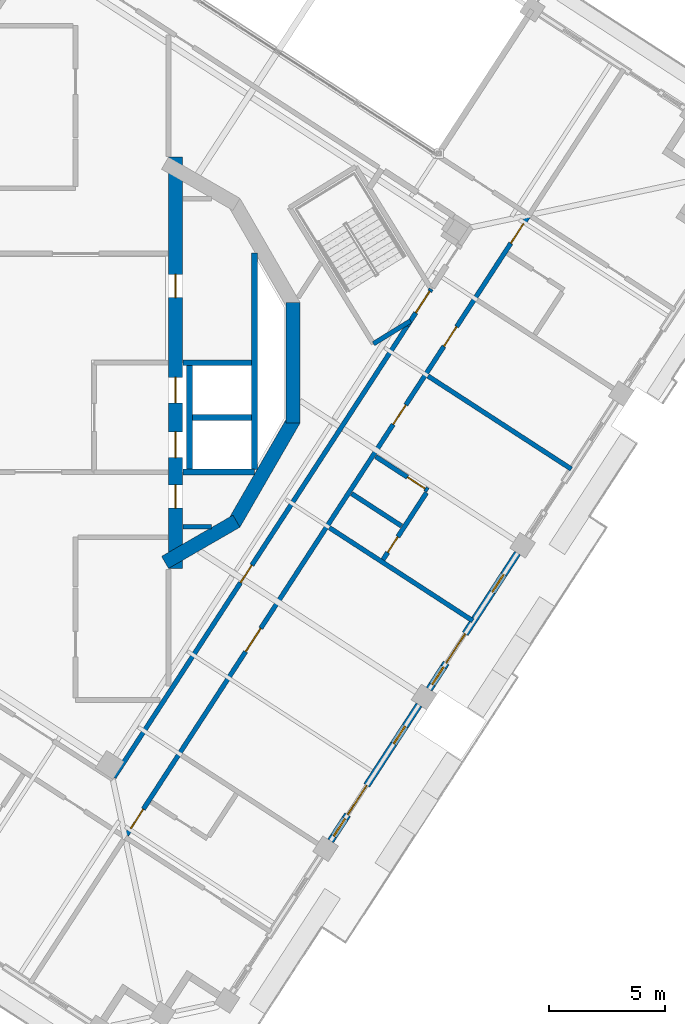
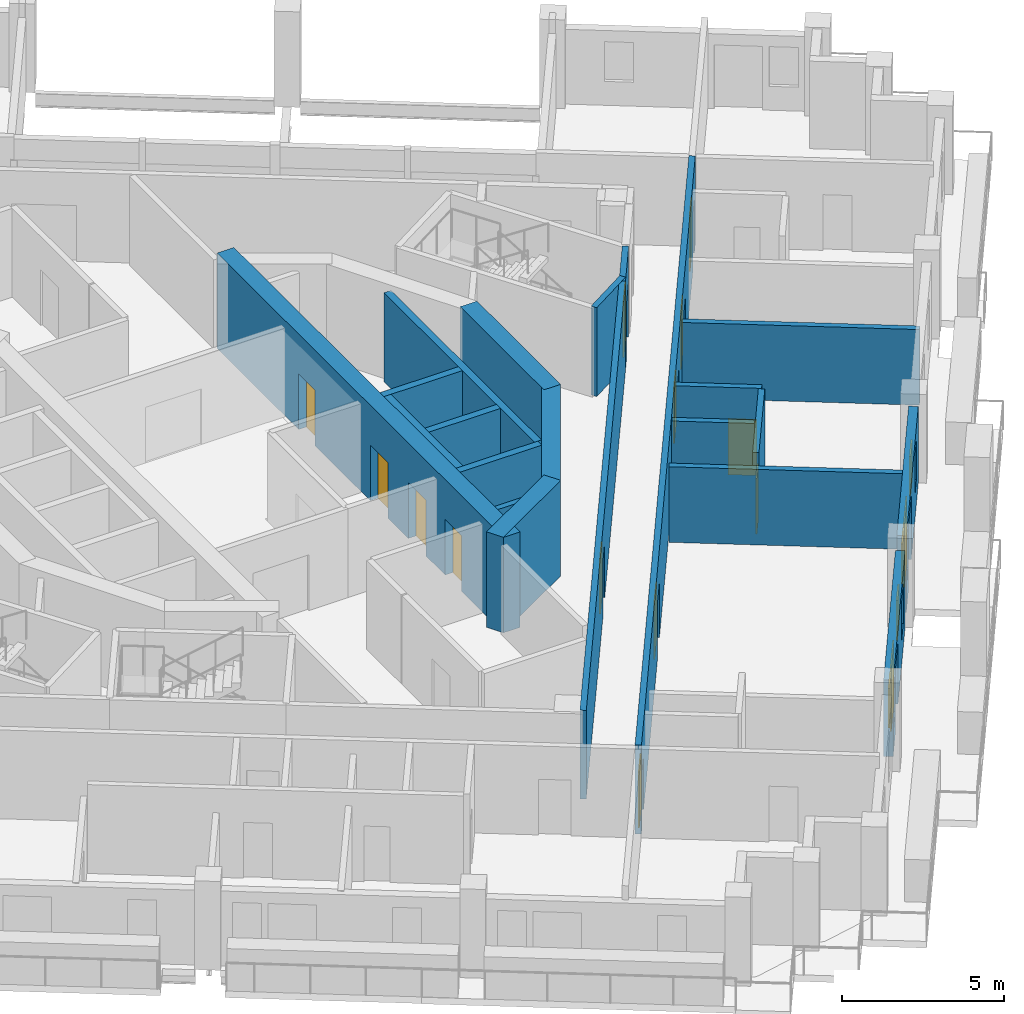
# One storey, part 8 of 17: 21 walls, 15 doors, 4 windows, 19 openings.
"""IFC4 building model written with IfcOpenShell, lengths in metres."""

from ifc_helpers import new_model, si_unit, direction, frame, frame_2d, origin, place, context, subcontext, project, spatial, rectangle, extrude, material, layer, layer_set, type_object, element, fill, save


model = new_model("IFC4")

# Units and contexts
model_context = context("Model", 3, precision=1e-05, world=origin(), true_north=direction((0.0, 1.0)))
body_context = subcontext(model_context, "Body", "Model", "MODEL_VIEW")
ifc_project = project(units=[si_unit("LENGTHUNIT", "METRE"), si_unit("AREAUNIT", "SQUARE_METRE"), si_unit("VOLUMEUNIT", "CUBIC_METRE"), si_unit("PLANEANGLEUNIT", "RADIAN"), si_unit("MASSUNIT", "GRAM", prefix="KILO")], contexts=[model_context])

# Site, building, storey
site_placement = place(None, origin())
site = spatial("IfcSite", under=ifc_project, at=site_placement, CompositionType="ELEMENT")
building_placement = place(site_placement, origin())
building = spatial("IfcBuilding", under=site, at=building_placement, Name="Cantera Rosa Tower", CompositionType="ELEMENT")
storey_placement = place(building_placement, frame((0.0, 0.0, 279.300048828125)))
storey = spatial("IfcBuildingStorey", under=building, at=storey_placement, Name="L63", CompositionType="ELEMENT", Elevation=279.300048828125)

# Wall, opening, door
ifc_material_1 = material(Name="Gypsum board partition")
ifc_layer_1 = layer(ifc_material_1, 0.199951171875)
ifc_layer_set_1 = layer_set([ifc_layer_1], Name="CORRIDOR WALL 200 H3350")
wall_type_1 = type_object("IfcWallType", Name="CORRIDOR WALL 200 H3350", PredefinedType="PARTITIONING", material=ifc_layer_set_1)
wall_1_placement = place(storey_placement, frame((1.656982421875, -17.828857421875, 0.0), z_axis=(0.0, 0.0, 1.0), x_axis=(0.544640309195, 0.838669740482, 0.0)))
wall_1 = element("IfcWall", 1, at=wall_1_placement, inside=storey, type_object=wall_type_1, Name="CORRIDOR WALL L63-063", PredefinedType="PARTITIONING", context=body_context, shape_type="SweptSolid", body=[
    extrude(rectangle(XDim=23.1552734375, YDim=0.199951171875, at=frame_2d((11.57763671875, 0.0))), origin(), (0.0, 0.0, 1.0), 3.349853515625),
])
opening_1_placement = place(wall_1_placement, frame((9.984619140625, 0.0, 0.0)))
opening_1 = element("IfcOpeningElement", 2, at=opening_1_placement, cuts=wall_1, Name="Opening L63-005", PredefinedType="OPENING", context=body_context, shape_type="SweptSolid", body=[
    extrude(rectangle(XDim=0.89990234375, YDim=2.10009765625, at=frame_2d((0.449951171875, 1.050048828125))), frame((0.0, 0.10986328125, 0.0), z_axis=(0.0, -1.0, 0.0), x_axis=(1.0, 0.0, 0.0)), (0.0, 0.0, 1.0), 0.219970703125),
])
ifc_material_2 = material(Name="Timber door leaf", Category="wood")
door_type_1 = type_object("IfcDoorType", Name="SERVICE DOOR 900x2100", OperationType="NOTDEFINED", PredefinedType="DOOR", material=ifc_material_2)
door_1_placement = place(opening_1_placement, origin())
door_1 = element("IfcDoor", 3, at=door_1_placement, inside=storey, type_object=door_type_1, Name="DOOR L63-005", OperationType="NOTDEFINED", OverallHeight=2.10009765625, OverallWidth=0.89990234375, PredefinedType="DOOR", context=body_context, shape_type="SweptSolid", body=[
    extrude(rectangle(XDim=0.89990234375, YDim=2.10009765625, at=frame_2d((0.449951171875, 1.050048828125))), frame((0.0, 0.02490234375, 0.0), z_axis=(0.0, -1.0, 0.0), x_axis=(1.0, 0.0, 0.0)), (0.0, 0.0, 1.0), 0.050048828125),
])
fill(opening_1, door_1)

# Wall, openings, doors
wall_2_placement = place(storey_placement, frame((2.197265625, -20.302001953125, 0.0), z_axis=(0.0, 0.0, 1.0), x_axis=(0.544636461061, 0.838672239485, 0.0)))
wall_2 = element("IfcWall", 4, at=wall_2_placement, inside=storey, type_object=wall_type_1, Name="CORRIDOR WALL L63-065", PredefinedType="PARTITIONING", context=body_context, shape_type="SweptSolid", body=[
    extrude(rectangle(XDim=31.780029296875, YDim=0.199951171875, at=frame_2d((15.89013671875, 0.0))), origin(), (0.0, 0.0, 1.0), 3.349853515625),
])
opening_2_placement = place(wall_2_placement, frame((9.39501953125, 0.0, 0.0)))
opening_2 = element("IfcOpeningElement", 5, at=opening_2_placement, cuts=wall_2, Name="Opening L63-040", PredefinedType="OPENING", context=body_context, shape_type="SweptSolid", body=[
    extrude(rectangle(XDim=1.199951171875, YDim=2.10009765625, at=frame_2d((0.60009765625, 1.050048828125))), frame((0.0, 0.10986328125, 0.0), z_axis=(0.0, -1.0, 0.0), x_axis=(1.0, 0.0, 0.0)), (0.0, 0.0, 1.0), 0.219970703125),
])
opening_3_placement = place(wall_2_placement, frame((21.044921875, 0.0, 0.0)))
opening_3 = element("IfcOpeningElement", 6, at=opening_3_placement, cuts=wall_2, Name="Opening L63-041", PredefinedType="OPENING", context=body_context, shape_type="SweptSolid", body=[
    extrude(rectangle(XDim=1.0, YDim=2.10009765625, at=frame_2d((0.5, 1.050048828125))), frame((0.0, 0.10986328125, 0.0), z_axis=(0.0, -1.0, 0.0), x_axis=(1.0, 0.0, 0.0)), (0.0, 0.0, 1.0), 0.219970703125),
])
opening_4_placement = place(wall_2_placement, frame((25.054931640625, 0.0, 0.0)))
opening_4 = element("IfcOpeningElement", 7, at=opening_4_placement, cuts=wall_2, Name="Opening L63-044", PredefinedType="OPENING", context=body_context, shape_type="SweptSolid", body=[
    extrude(rectangle(XDim=1.0, YDim=2.10009765625, at=frame_2d((0.5, 1.050048828125))), frame((0.0, 0.10986328125, 0.0), z_axis=(0.0, -1.0, 0.0), x_axis=(1.0, 0.0, 0.0)), (0.0, 0.0, 1.0), 0.219970703125),
])
opening_5_placement = place(wall_2_placement, frame((0.320068359375, 0.0, 0.0)))
opening_5 = element("IfcOpeningElement", 8, at=opening_5_placement, cuts=wall_2, Name="Opening L63-045", PredefinedType="OPENING", context=body_context, shape_type="SweptSolid", body=[
    extrude(rectangle(XDim=1.0, YDim=2.10009765625, at=frame_2d((0.5, 1.050048828125))), frame((0.0, 0.10986328125, 0.0), z_axis=(0.0, -1.0, 0.0), x_axis=(1.0, 0.0, 0.0)), (0.0, 0.0, 1.0), 0.219970703125),
])
opening_6_placement = place(wall_2_placement, frame((30.340087890625, 0.0, 0.0)))
opening_6 = element("IfcOpeningElement", 9, at=opening_6_placement, cuts=wall_2, Name="Opening L63-048", PredefinedType="OPENING", context=body_context, shape_type="SweptSolid", body=[
    extrude(rectangle(XDim=1.0, YDim=2.10009765625, at=frame_2d((0.5, 1.050048828125))), frame((0.0, 0.10986328125, 0.0), z_axis=(0.0, -1.0, 0.0), x_axis=(1.0, 0.0, 0.0)), (0.0, 0.0, 1.0), 0.219970703125),
])
ifc_material_3 = material(Name="Timber door leaf", Category="wood")
door_type_2 = type_object("IfcDoorType", Name="ENTRANCE DOOR 1000x2100", OperationType="NOTDEFINED", PredefinedType="DOOR", material=ifc_material_3)
door_2_placement = place(opening_3_placement, origin())
door_2 = element("IfcDoor", 10, at=door_2_placement, inside=storey, type_object=door_type_2, Name="DOOR L63-041", OperationType="NOTDEFINED", OverallHeight=2.10009765625, OverallWidth=1.0, PredefinedType="DOOR", context=body_context, shape_type="SweptSolid", body=[
    extrude(rectangle(XDim=1.0, YDim=2.10009765625, at=frame_2d((0.5, 1.050048828125))), frame((0.0, 0.02490234375, 0.0), z_axis=(0.0, -1.0, 0.0), x_axis=(1.0, 0.0, 0.0)), (0.0, 0.0, 1.0), 0.050048828125),
])
fill(opening_3, door_2)
door_3_placement = place(opening_5_placement, origin())
door_3 = element("IfcDoor", 11, at=door_3_placement, inside=storey, type_object=door_type_2, Name="DOOR L63-045", OperationType="NOTDEFINED", OverallHeight=2.10009765625, OverallWidth=1.0, PredefinedType="DOOR", context=body_context, shape_type="SweptSolid", body=[
    extrude(rectangle(XDim=1.0, YDim=2.10009765625, at=frame_2d((0.5, 1.050048828125))), frame((0.0, 0.02490234375, 0.0), z_axis=(0.0, -1.0, 0.0), x_axis=(1.0, 0.0, 0.0)), (0.0, 0.0, 1.0), 0.050048828125),
])
fill(opening_5, door_3)
door_4_placement = place(opening_6_placement, origin())
door_4 = element("IfcDoor", 12, at=door_4_placement, inside=storey, type_object=door_type_2, Name="DOOR L63-048", OperationType="NOTDEFINED", OverallHeight=2.10009765625, OverallWidth=1.0, PredefinedType="DOOR", context=body_context, shape_type="SweptSolid", body=[
    extrude(rectangle(XDim=1.0, YDim=2.10009765625, at=frame_2d((0.5, 1.050048828125))), frame((0.0, 0.02490234375, 0.0), z_axis=(0.0, -1.0, 0.0), x_axis=(1.0, 0.0, 0.0)), (0.0, 0.0, 1.0), 0.050048828125),
])
fill(opening_6, door_4)
ifc_material_4 = material(Name="Timber door leaf", Category="wood")
door_type_3 = type_object("IfcDoorType", Name="ROOM DOOR 1000x2100", OperationType="NOTDEFINED", PredefinedType="DOOR", material=ifc_material_4)
door_5_placement = place(opening_4_placement, origin())
door_5 = element("IfcDoor", 13, at=door_5_placement, inside=storey, type_object=door_type_3, Name="DOOR L63-044", OperationType="NOTDEFINED", OverallHeight=2.10009765625, OverallWidth=1.0, PredefinedType="DOOR", context=body_context, shape_type="SweptSolid", body=[
    extrude(rectangle(XDim=1.0, YDim=2.10009765625, at=frame_2d((0.5, 1.050048828125))), frame((0.0, 0.02490234375, 0.0), z_axis=(0.0, -1.0, 0.0), x_axis=(1.0, 0.0, 0.0)), (0.0, 0.0, 1.0), 0.050048828125),
])
fill(opening_4, door_5)
ifc_material_5 = material(Name="Timber door leaf", Category="wood")
door_type_4 = type_object("IfcDoorType", Name="ROOM DOOR 1200x2100", OperationType="NOTDEFINED", PredefinedType="DOOR", material=ifc_material_5)
door_6_placement = place(opening_2_placement, origin())
door_6 = element("IfcDoor", 14, at=door_6_placement, inside=storey, type_object=door_type_4, Name="DOOR L63-040", OperationType="NOTDEFINED", OverallHeight=2.10009765625, OverallWidth=1.199951171875, PredefinedType="DOOR", context=body_context, shape_type="SweptSolid", body=[
    extrude(rectangle(XDim=1.199951171875, YDim=2.10009765625, at=frame_2d((0.60009765625, 1.050048828125))), frame((0.0, 0.02490234375, 0.0), z_axis=(0.0, -1.0, 0.0), x_axis=(1.0, 0.0, 0.0)), (0.0, 0.0, 1.0), 0.050048828125),
])
fill(opening_2, door_6)

# Wall, openings, windows, door
ifc_material_6 = material(Name="Hollow clay masonry with cantera stone cladding", Category="masonry")
ifc_layer_2 = layer(ifc_material_6, 0.300048828125)
ifc_layer_set_2 = layer_set([ifc_layer_2], Name="EW-LOGGIA 300 H2890")
wall_type_2 = type_object("IfcWallType", Name="EW-LOGGIA 300 H2890", PredefinedType="SOLIDWALL", material=ifc_layer_set_2)
wall_3_placement = place(storey_placement, frame((10.970703125, -20.5625, 0.0), z_axis=(0.0, 0.0, 1.0), x_axis=(0.544651451949, 0.838662504164, 0.0)))
wall_3 = element("IfcWall", 15, at=wall_3_placement, inside=storey, type_object=wall_type_2, Name="EN-L63-W21", PredefinedType="SOLIDWALL", context=body_context, shape_type="SweptSolid", body=[
    extrude(rectangle(XDim=6.980224609375, YDim=0.300048828125, at=frame_2d((3.490234375, 0.0))), origin(), (0.0, 0.0, 1.0), 2.889892578125),
])
opening_7_placement = place(wall_3_placement, frame((0.2451171875, 0.0, 0.89990234375)))
opening_7 = element("IfcOpeningElement", 16, at=opening_7_placement, cuts=wall_3, Name="Opening L63-W37", PredefinedType="OPENING", context=body_context, shape_type="SweptSolid", body=[
    extrude(rectangle(XDim=0.89990234375, YDim=1.5, at=frame_2d((0.449951171875, 0.75))), frame((0.0, 0.159912109375, 0.0), z_axis=(0.0, -1.0, 0.0), x_axis=(1.0, 0.0, 0.0)), (0.0, 0.0, 1.0), 0.320068359375),
])
opening_8_placement = place(wall_3_placement, frame((1.344970703125, 0.0, 0.0)))
opening_8 = element("IfcOpeningElement", 17, at=opening_8_placement, cuts=wall_3, Name="Opening L63-TD38", PredefinedType="OPENING", context=body_context, shape_type="SweptSolid", body=[
    extrude(rectangle(XDim=1.5, YDim=2.39990234375, at=frame_2d((0.75, 1.199951171875))), frame((0.0, 0.159912109375, 0.0), z_axis=(0.0, -1.0, 0.0), x_axis=(1.0, 0.0, 0.0)), (0.0, 0.0, 1.0), 0.320068359375),
])
opening_9_placement = place(wall_3_placement, frame((4.985107421875, 0.0, 0.89990234375)))
opening_9 = element("IfcOpeningElement", 18, at=opening_9_placement, cuts=wall_3, Name="Opening L63-W39", PredefinedType="OPENING", context=body_context, shape_type="SweptSolid", body=[
    extrude(rectangle(XDim=0.89990234375, YDim=1.5, at=frame_2d((0.449951171875, 0.75))), frame((0.0, 0.159912109375, 0.0), z_axis=(0.0, -1.0, 0.0), x_axis=(1.0, 0.0, 0.0)), (0.0, 0.0, 1.0), 0.320068359375),
])
ifc_material_7 = material(Name="Aluminium frame with clear glass", Category="aluminium")
window_type = type_object("IfcWindowType", Name="Residential window 900x1500", PartitioningType="SINGLE_PANEL", PredefinedType="WINDOW", material=ifc_material_7)
window_1_placement = place(opening_7_placement, origin())
window_1 = element("IfcWindow", 19, at=window_1_placement, inside=storey, type_object=window_type, Name="WINDOW L63-W37", OverallHeight=1.5, OverallWidth=0.89990234375, PartitioningType="SINGLE_PANEL", PredefinedType="WINDOW", context=body_context, shape_type="SweptSolid", body=[
    extrude(rectangle(XDim=0.89990234375, YDim=1.5, at=frame_2d((0.449951171875, 0.75))), frame((0.0, 0.030029296875, 0.0), z_axis=(0.0, -1.0, 0.0), x_axis=(1.0, 0.0, 0.0)), (0.0, 0.0, 1.0), 0.06005859375),
])
fill(opening_7, window_1)
window_2_placement = place(opening_9_placement, origin())
window_2 = element("IfcWindow", 20, at=window_2_placement, inside=storey, type_object=window_type, Name="WINDOW L63-W39", OverallHeight=1.5, OverallWidth=0.89990234375, PartitioningType="SINGLE_PANEL", PredefinedType="WINDOW", context=body_context, shape_type="SweptSolid", body=[
    extrude(rectangle(XDim=0.89990234375, YDim=1.5, at=frame_2d((0.449951171875, 0.75))), frame((0.0, 0.030029296875, 0.0), z_axis=(0.0, -1.0, 0.0), x_axis=(1.0, 0.0, 0.0)), (0.0, 0.0, 1.0), 0.06005859375),
])
fill(opening_9, window_2)
ifc_material_8 = material(Name="Aluminium frame with clear glass", Category="aluminium")
door_type_5 = type_object("IfcDoorType", Name="TD-R 1500x2400", OperationType="NOTDEFINED", PredefinedType="DOOR", material=ifc_material_8)
door_7_placement = place(opening_8_placement, origin())
door_7 = element("IfcDoor", 21, at=door_7_placement, inside=storey, type_object=door_type_5, Name="LOGGIA DOOR L63-TD38", OperationType="SLIDING_TO_LEFT", OverallHeight=2.39990234375, OverallWidth=1.5, PredefinedType="DOOR", context=body_context, shape_type="SweptSolid", body=[
    extrude(rectangle(XDim=1.5, YDim=2.39990234375, at=frame_2d((0.75, 1.199951171875))), frame((0.0, 0.02490234375, 0.0), z_axis=(0.0, -1.0, 0.0), x_axis=(1.0, 0.0, 0.0)), (0.0, 0.0, 1.0), 0.050048828125),
])
fill(opening_8, door_7)

wall_4_placement = place(storey_placement, frame((15.2080078125, -14.03759765625, 0.0), z_axis=(0.0, 0.0, 1.0), x_axis=(0.544651451949, 0.838662504164, 0.0)))
wall_4 = element("IfcWall", 22, at=wall_4_placement, inside=storey, type_object=wall_type_2, Name="EN-L63-W22", PredefinedType="SOLIDWALL", context=body_context, shape_type="SweptSolid", body=[
    extrude(rectangle(XDim=6.980224609375, YDim=0.300048828125, at=frame_2d((3.490234375, 0.0))), origin(), (0.0, 0.0, 1.0), 2.889892578125),
])
opening_10_placement = place(wall_4_placement, frame((0.2451171875, 0.0, 0.89990234375)))
opening_10 = element("IfcOpeningElement", 23, at=opening_10_placement, cuts=wall_4, Name="Opening L63-W40", PredefinedType="OPENING", context=body_context, shape_type="SweptSolid", body=[
    extrude(rectangle(XDim=0.89990234375, YDim=1.5, at=frame_2d((0.449951171875, 0.75))), frame((0.0, 0.159912109375, 0.0), z_axis=(0.0, -1.0, 0.0), x_axis=(1.0, 0.0, 0.0)), (0.0, 0.0, 1.0), 0.320068359375),
])
opening_11_placement = place(wall_4_placement, frame((1.344970703125, 0.0, 0.0)))
opening_11 = element("IfcOpeningElement", 24, at=opening_11_placement, cuts=wall_4, Name="Opening L63-TD41", PredefinedType="OPENING", context=body_context, shape_type="SweptSolid", body=[
    extrude(rectangle(XDim=1.5, YDim=2.39990234375, at=frame_2d((0.75, 1.199951171875))), frame((0.0, 0.159912109375, 0.0), z_axis=(0.0, -1.0, 0.0), x_axis=(1.0, 0.0, 0.0)), (0.0, 0.0, 1.0), 0.320068359375),
])
opening_12_placement = place(wall_4_placement, frame((4.985107421875, 0.0, 0.89990234375)))
opening_12 = element("IfcOpeningElement", 25, at=opening_12_placement, cuts=wall_4, Name="Opening L63-W42", PredefinedType="OPENING", context=body_context, shape_type="SweptSolid", body=[
    extrude(rectangle(XDim=0.89990234375, YDim=1.5, at=frame_2d((0.449951171875, 0.75))), frame((0.0, 0.159912109375, 0.0), z_axis=(0.0, -1.0, 0.0), x_axis=(1.0, 0.0, 0.0)), (0.0, 0.0, 1.0), 0.320068359375),
])
window_3_placement = place(opening_10_placement, origin())
window_3 = element("IfcWindow", 26, at=window_3_placement, inside=storey, type_object=window_type, Name="WINDOW L63-W40", OverallHeight=1.5, OverallWidth=0.89990234375, PartitioningType="SINGLE_PANEL", PredefinedType="WINDOW", context=body_context, shape_type="SweptSolid", body=[
    extrude(rectangle(XDim=0.89990234375, YDim=1.5, at=frame_2d((0.449951171875, 0.75))), frame((0.0, 0.030029296875, 0.0), z_axis=(0.0, -1.0, 0.0), x_axis=(1.0, 0.0, 0.0)), (0.0, 0.0, 1.0), 0.06005859375),
])
fill(opening_10, window_3)
window_4_placement = place(opening_12_placement, origin())
window_4 = element("IfcWindow", 27, at=window_4_placement, inside=storey, type_object=window_type, Name="WINDOW L63-W42", OverallHeight=1.5, OverallWidth=0.89990234375, PartitioningType="SINGLE_PANEL", PredefinedType="WINDOW", context=body_context, shape_type="SweptSolid", body=[
    extrude(rectangle(XDim=0.89990234375, YDim=1.5, at=frame_2d((0.449951171875, 0.75))), frame((0.0, 0.030029296875, 0.0), z_axis=(0.0, -1.0, 0.0), x_axis=(1.0, 0.0, 0.0)), (0.0, 0.0, 1.0), 0.06005859375),
])
fill(opening_12, window_4)
door_8_placement = place(opening_11_placement, origin())
door_8 = element("IfcDoor", 28, at=door_8_placement, inside=storey, type_object=door_type_5, Name="LOGGIA DOOR L63-TD41", OperationType="SLIDING_TO_LEFT", OverallHeight=2.39990234375, OverallWidth=1.5, PredefinedType="DOOR", context=body_context, shape_type="SweptSolid", body=[
    extrude(rectangle(XDim=1.5, YDim=2.39990234375, at=frame_2d((0.75, 1.199951171875))), frame((0.0, 0.02490234375, 0.0), z_axis=(0.0, -1.0, 0.0), x_axis=(1.0, 0.0, 0.0)), (0.0, 0.0, 1.0), 0.050048828125),
])
fill(opening_11, door_8)

# Walls
ifc_material_9 = material(Name="Gypsum board partition")
ifc_layer_3 = layer(ifc_material_9, 0.199951171875)
ifc_layer_set_3 = layer_set([ifc_layer_3], Name="PARTITION 200 H3350")
wall_type_3 = type_object("IfcWallType", Name="PARTITION 200 H3350", PredefinedType="PARTITIONING", material=ifc_layer_set_3)
wall_5_placement = place(storey_placement, frame((5.84765625, -7.050048828125, 0.0), z_axis=(0.0, 0.0, 1.0), x_axis=(-1.0, 0.0, 0.0)))
element("IfcWall", 29, at=wall_5_placement, inside=storey, type_object=wall_type_3, Name="PARTITION L63-074", PredefinedType="PARTITIONING", context=body_context, shape_type="SweptSolid", body=[
    extrude(rectangle(XDim=1.2177734375, YDim=0.199951171875, at=frame_2d((0.60888671875, 0.0))), origin(), (0.0, 0.0, 1.0), 3.349853515625),
])
wall_6_placement = place(storey_placement, frame((11.87255859375, -5.62353515625, 0.0), z_axis=(0.0, 0.0, 1.0), x_axis=(0.838665792468, -0.544646388536, 0.0)))
element("IfcWall", 30, at=wall_6_placement, inside=storey, type_object=wall_type_3, Name="PARTITION L63-084", PredefinedType="PARTITIONING", context=body_context, shape_type="SweptSolid", body=[
    extrude(rectangle(XDim=2.56005859375, YDim=0.199951171875, at=frame_2d((1.280029296875, 0.0))), origin(), (0.0, 0.0, 1.0), 3.349853515625),
])

# Wall, opening, door
wall_7_placement = place(storey_placement, frame((12.907470703125, -4.030029296875, 0.0), z_axis=(0.0, 0.0, 1.0), x_axis=(0.838647527281, -0.544674512884, 0.0)))
wall_7 = element("IfcWall", 31, at=wall_7_placement, inside=storey, type_object=wall_type_3, Name="PARTITION L63-087", PredefinedType="PARTITIONING", context=body_context, shape_type="SweptSolid", body=[
    extrude(rectangle(XDim=2.679931640625, YDim=0.199951171875, at=frame_2d((1.33984375, 0.0))), origin(), (0.0, 0.0, 1.0), 3.349853515625),
])
opening_13_placement = place(wall_7_placement, frame((1.6298828125, 0.0, 0.0)))
opening_13 = element("IfcOpeningElement", 32, at=opening_13_placement, cuts=wall_7, Name="Opening L63-043", PredefinedType="OPENING", context=body_context, shape_type="SweptSolid", body=[
    extrude(rectangle(XDim=0.89990234375, YDim=2.10009765625, at=frame_2d((0.449951171875, 1.050048828125))), frame((0.0, 0.10986328125, 0.0), z_axis=(0.0, -1.0, 0.0), x_axis=(1.0, 0.0, 0.0)), (0.0, 0.0, 1.0), 0.219970703125),
])
ifc_material_10 = material(Name="Timber door leaf", Category="wood")
door_type_6 = type_object("IfcDoorType", Name="ROOM DOOR 900x2100", OperationType="NOTDEFINED", PredefinedType="DOOR", material=ifc_material_10)
door_9_placement = place(opening_13_placement, origin())
door_9 = element("IfcDoor", 33, at=door_9_placement, inside=storey, type_object=door_type_6, Name="DOOR L63-043", OperationType="NOTDEFINED", OverallHeight=2.10009765625, OverallWidth=0.89990234375, PredefinedType="DOOR", context=body_context, shape_type="SweptSolid", body=[
    extrude(rectangle(XDim=0.89990234375, YDim=2.10009765625, at=frame_2d((0.449951171875, 1.050048828125))), frame((0.0, 0.02490234375, 0.0), z_axis=(0.0, -1.0, 0.0), x_axis=(1.0, 0.0, 0.0)), (0.0, 0.0, 1.0), 0.050048828125),
])
fill(opening_13, door_9)

wall_8_placement = place(storey_placement, frame((15.089599609375, -5.59033203125, 0.0), z_axis=(0.0, 0.0, 1.0), x_axis=(-0.544590487493, -0.838702093077, 0.0)))
wall_8 = element("IfcWall", 34, at=wall_8_placement, inside=storey, type_object=wall_type_3, Name="PARTITION L63-092", PredefinedType="PARTITIONING", context=body_context, shape_type="SweptSolid", body=[
    extrude(rectangle(XDim=3.429931640625, YDim=0.199951171875, at=frame_2d((1.71484375, 0.0))), origin(), (0.0, 0.0, 1.0), 3.349853515625),
])
opening_14_placement = place(wall_8_placement, frame((2.2548828125, 0.0, 0.0)))
opening_14 = element("IfcOpeningElement", 35, at=opening_14_placement, cuts=wall_8, Name="Opening L63-042", PredefinedType="OPENING", context=body_context, shape_type="SweptSolid", body=[
    extrude(rectangle(XDim=0.800048828125, YDim=2.10009765625, at=frame_2d((0.39990234375, 1.050048828125))), frame((0.0, 0.10986328125, 0.0), z_axis=(0.0, -1.0, 0.0), x_axis=(1.0, 0.0, 0.0)), (0.0, 0.0, 1.0), 0.219970703125),
])
ifc_material_11 = material(Name="Timber door leaf", Category="wood")
door_type_7 = type_object("IfcDoorType", Name="BATHROOM DOOR 800x2100", OperationType="NOTDEFINED", PredefinedType="DOOR", material=ifc_material_11)
door_10_placement = place(opening_14_placement, origin())
door_10 = element("IfcDoor", 36, at=door_10_placement, inside=storey, type_object=door_type_7, Name="DOOR L63-042", OperationType="NOTDEFINED", OverallHeight=2.10009765625, OverallWidth=0.800048828125, PredefinedType="DOOR", context=body_context, shape_type="SweptSolid", body=[
    extrude(rectangle(XDim=0.800048828125, YDim=2.10009765625, at=frame_2d((0.39990234375, 1.050048828125))), frame((0.0, 0.02490234375, 0.0), z_axis=(0.0, -1.0, 0.0), x_axis=(1.0, 0.0, 0.0)), (0.0, 0.0, 1.0), 0.050048828125),
])
fill(opening_14, door_10)

# Walls
ifc_material_12 = material(Name="Gypsum board partition")
ifc_layer_4 = layer(ifc_material_12, 0.199951171875)
ifc_layer_set_4 = layer_set([ifc_layer_4], Name="PARTY WALL 200 H2850")
wall_type_4 = type_object("IfcWallType", Name="PARTY WALL 200 H2850", PredefinedType="PARTITIONING", material=ifc_layer_set_4)
for number, where, z_axis, x_axis, name in (
    (37, (10.91943359375, -7.09130859375, 0.0), (0.0, 0.0, 1.0), (0.838684106336, -0.544618187155, 0.0), "PARTY WALL L63-083"),
    (38, (15.15673828125, -0.56640625, 0.0), (0.0, 0.0, 1.0), (0.838684106336, -0.544618187155, 0.0), "PARTY WALL L63-091"),
):
    element("IfcWall", number, at=place(storey_placement, frame(where, z_axis=z_axis, x_axis=x_axis)), inside=storey, type_object=wall_type_4, Name=name, PredefinedType="PARTITIONING", context=body_context, shape_type="SweptSolid", body=[
        extrude(rectangle(XDim=7.349853515625, YDim=0.199951171875, at=frame_2d((3.6748046875, 0.0))), origin(), (0.0, 0.0, 1.0), 2.849853515625),
    ])
ifc_material_13 = material(Name="Concrete C50/60", Category="concrete")
ifc_layer_5 = layer(ifc_material_13, 0.60009765625)
ifc_layer_set_5 = layer_set([ifc_layer_5], Name="RC CORE WALL 600 C50/60")
wall_type_5 = type_object("IfcWallType", Name="RC CORE WALL 600 C50/60", PredefinedType="SHEAR", material=ifc_layer_set_5)
for number, where, z_axis, x_axis, name in (
    (39, (9.359375, 2.588134765625, 0.0), (0.0, 0.0, 1.0), (0.0, -1.0, 0.0), "CW-E3 L63"),
    (40, (9.3994140625, -2.438232421875, 0.0), (0.0, 0.0, 1.0), (-0.499989188378, -0.866031645787, 0.0), "CW-E4 L63"),
):
    element("IfcWall", number, at=place(storey_placement, frame(where, z_axis=z_axis, x_axis=x_axis)), inside=storey, type_object=wall_type_5, Name=name, PredefinedType="SHEAR", context=body_context, shape_type="SweptSolid", body=[
        extrude(rectangle(XDim=5.17626953125, YDim=0.60009765625, at=frame_2d((2.588134765625, 0.0))), origin(), (0.0, 0.0, 1.0), 3.599853515625),
    ])
wall_9_placement = place(storey_placement, frame((6.921142578125, -6.811279296875, 0.0), z_axis=(0.0, 0.0, 1.0), x_axis=(-0.866039982607, -0.499974747889, 0.0)))
element("IfcWall", 41, at=wall_9_placement, inside=storey, type_object=wall_type_5, Name="CW-E5 L63", PredefinedType="SHEAR", context=body_context, shape_type="SweptSolid", body=[
    extrude(rectangle(XDim=3.546142578125, YDim=0.60009765625, at=frame_2d((1.77294921875, 0.0))), origin(), (0.0, 0.0, 1.0), 3.599853515625),
])

# Wall, openings, doors
wall_10_placement = place(storey_placement, frame((4.300048828125, -8.84423828125, 0.0), z_axis=(0.0, 0.0, 1.0), x_axis=(0.0, 1.0, 0.0)))
wall_10 = element("IfcWall", 42, at=wall_10_placement, inside=storey, type_object=wall_type_5, Name="CW-E6 L63", PredefinedType="SHEAR", context=body_context, shape_type="SweptSolid", body=[
    extrude(rectangle(XDim=17.6884765625, YDim=0.60009765625, at=frame_2d((8.84423828125, 0.0))), origin(), (0.0, 0.0, 1.0), 3.599853515625),
])
opening_15_placement = place(wall_10_placement, frame((4.76904296875, 0.0, 0.0)))
opening_15 = element("IfcOpeningElement", 43, at=opening_15_placement, cuts=wall_10, Name="Opening LD-FF1-L63", PredefinedType="OPENING", context=body_context, shape_type="SweptSolid", body=[
    extrude(rectangle(XDim=1.10009765625, YDim=2.10009765625, at=frame_2d((0.550048828125, 1.050048828125))), frame((0.0, 0.31005859375, 0.0), z_axis=(0.0, -1.0, 0.0), x_axis=(1.0, 0.0, 0.0)), (0.0, 0.0, 1.0), 0.6201171875),
])
opening_16_placement = place(wall_10_placement, frame((7.119140625, 0.0, 0.0)))
opening_16 = element("IfcOpeningElement", 44, at=opening_16_placement, cuts=wall_10, Name="Opening LD-FF2-L63", PredefinedType="OPENING", context=body_context, shape_type="SweptSolid", body=[
    extrude(rectangle(XDim=1.10009765625, YDim=2.10009765625, at=frame_2d((0.550048828125, 1.050048828125))), frame((0.0, 0.31005859375, 0.0), z_axis=(0.0, -1.0, 0.0), x_axis=(1.0, 0.0, 0.0)), (0.0, 0.0, 1.0), 0.6201171875),
])
opening_17_placement = place(wall_10_placement, frame((2.5966796875, 0.0, 0.0)))
opening_17 = element("IfcOpeningElement", 45, at=opening_17_placement, cuts=wall_10, Name="Opening SD-L63-18", PredefinedType="OPENING", context=body_context, shape_type="SweptSolid", body=[
    extrude(rectangle(XDim=1.0, YDim=2.10009765625, at=frame_2d((0.5, 1.050048828125))), frame((0.0, 0.31005859375, 0.0), z_axis=(0.0, -1.0, 0.0), x_axis=(1.0, 0.0, 0.0)), (0.0, 0.0, 1.0), 0.6201171875),
])
opening_18_placement = place(wall_10_placement, frame((11.6494140625, 0.0, 0.0)))
opening_18 = element("IfcOpeningElement", 46, at=opening_18_placement, cuts=wall_10, Name="Opening SD-L63-19", PredefinedType="OPENING", context=body_context, shape_type="SweptSolid", body=[
    extrude(rectangle(XDim=1.0, YDim=2.10009765625, at=frame_2d((0.5, 1.050048828125))), frame((0.0, 0.31005859375, 0.0), z_axis=(0.0, -1.0, 0.0), x_axis=(1.0, 0.0, 0.0)), (0.0, 0.0, 1.0), 0.6201171875),
])
ifc_material_14 = material(Name="Steel S355J2 (EN 10025-2)", Category="steel")
door_type_8 = type_object("IfcDoorType", Name="LANDING DOOR 1100x2100", OperationType="NOTDEFINED", PredefinedType="DOOR", material=ifc_material_14)
door_11_placement = place(opening_15_placement, origin())
door_11 = element("IfcDoor", 47, at=door_11_placement, inside=storey, type_object=door_type_8, Name="LANDING DOOR FF1 L63", OperationType="SLIDING_TO_LEFT", OverallHeight=2.10009765625, OverallWidth=1.10009765625, PredefinedType="DOOR", context=body_context, shape_type="SweptSolid", body=[
    extrude(rectangle(XDim=1.10009765625, YDim=2.10009765625, at=frame_2d((0.550048828125, 1.050048828125))), frame((0.0, 0.02490234375, 0.0), z_axis=(0.0, -1.0, 0.0), x_axis=(1.0, 0.0, 0.0)), (0.0, 0.0, 1.0), 0.050048828125),
])
fill(opening_15, door_11)
door_12_placement = place(opening_16_placement, origin())
door_12 = element("IfcDoor", 48, at=door_12_placement, inside=storey, type_object=door_type_8, Name="LANDING DOOR FF2 L63", OperationType="SLIDING_TO_LEFT", OverallHeight=2.10009765625, OverallWidth=1.10009765625, PredefinedType="DOOR", context=body_context, shape_type="SweptSolid", body=[
    extrude(rectangle(XDim=1.10009765625, YDim=2.10009765625, at=frame_2d((0.550048828125, 1.050048828125))), frame((0.0, 0.02490234375, 0.0), z_axis=(0.0, -1.0, 0.0), x_axis=(1.0, 0.0, 0.0)), (0.0, 0.0, 1.0), 0.050048828125),
])
fill(opening_16, door_12)
ifc_material_15 = material(Name="Timber door leaf", Category="wood")
door_type_9 = type_object("IfcDoorType", Name="SERVICE DOOR 1000x2100", OperationType="NOTDEFINED", PredefinedType="DOOR", material=ifc_material_15)
door_13_placement = place(opening_17_placement, origin())
door_13 = element("IfcDoor", 49, at=door_13_placement, inside=storey, type_object=door_type_9, Name="DOOR L63-SD18", OperationType="NOTDEFINED", OverallHeight=2.10009765625, OverallWidth=1.0, PredefinedType="DOOR", context=body_context, shape_type="SweptSolid", body=[
    extrude(rectangle(XDim=1.0, YDim=2.10009765625, at=frame_2d((0.5, 1.050048828125))), frame((0.0, 0.02490234375, 0.0), z_axis=(0.0, -1.0, 0.0), x_axis=(1.0, 0.0, 0.0)), (0.0, 0.0, 1.0), 0.050048828125),
])
fill(opening_17, door_13)
door_14_placement = place(opening_18_placement, origin())
door_14 = element("IfcDoor", 50, at=door_14_placement, inside=storey, type_object=door_type_9, Name="DOOR L63-SD19", OperationType="NOTDEFINED", OverallHeight=2.10009765625, OverallWidth=1.0, PredefinedType="DOOR", context=body_context, shape_type="SweptSolid", body=[
    extrude(rectangle(XDim=1.0, YDim=2.10009765625, at=frame_2d((0.5, 1.050048828125))), frame((0.0, 0.02490234375, 0.0), z_axis=(0.0, -1.0, 0.0), x_axis=(1.0, 0.0, 0.0)), (0.0, 0.0, 1.0), 0.050048828125),
])
fill(opening_18, door_14)

# Walls
ifc_material_16 = material(Name="Masonry blockwork", Category="masonry")
ifc_layer_6 = layer(ifc_material_16, 0.25)
ifc_layer_set_6 = layer_set([ifc_layer_6], Name="SHAFT WALL 250 H3350")
wall_type_6 = type_object("IfcWallType", Name="SHAFT WALL 250 H3350", PredefinedType="SOLIDWALL", material=ifc_layer_set_6)
wall_11_placement = place(storey_placement, frame((4.6298828125, 0.0, 0.0), z_axis=(0.0, 0.0, 1.0), x_axis=(1.0, 0.0, 0.0)))
element("IfcWall", 51, at=wall_11_placement, inside=storey, type_object=wall_type_6, Name="SHAFT WALL L63-070", PredefinedType="SOLIDWALL", context=body_context, shape_type="SweptSolid", body=[
    extrude(rectangle(XDim=2.945068359375, YDim=0.25, at=frame_2d((1.47265625, 0.0))), origin(), (0.0, 0.0, 1.0), 3.349853515625),
])
wall_12_placement = place(storey_placement, frame((4.89990234375, -0.125, 0.0), z_axis=(0.0, 0.0, 1.0), x_axis=(0.0, -1.0, 0.0)))
element("IfcWall", 52, at=wall_12_placement, inside=storey, type_object=wall_type_6, Name="SHAFT WALL L63-072", PredefinedType="SOLIDWALL", context=body_context, shape_type="SweptSolid", body=[
    extrude(rectangle(XDim=4.449951171875, YDim=0.25, at=frame_2d((2.22509765625, 0.0))), origin(), (0.0, 0.0, 1.0), 3.349853515625),
])
wall_13_placement = place(storey_placement, frame((7.699951171875, -4.699951171875, 0.0), z_axis=(0.0, 0.0, 1.0), x_axis=(-1.0, 0.0, 0.0)))
element("IfcWall", 53, at=wall_13_placement, inside=storey, type_object=wall_type_6, Name="SHAFT WALL L63-077", PredefinedType="SOLIDWALL", context=body_context, shape_type="SweptSolid", body=[
    extrude(rectangle(XDim=3.070068359375, YDim=0.25, at=frame_2d((1.53515625, 0.0))), origin(), (0.0, 0.0, 1.0), 3.349853515625),
])
wall_14_placement = place(storey_placement, frame((7.699951171875, -4.580078125, 0.0), z_axis=(0.0, 0.0, 1.0), x_axis=(0.0, 1.0, 0.0)))
element("IfcWall", 54, at=wall_14_placement, inside=storey, type_object=wall_type_6, Name="SHAFT WALL L63-078", PredefinedType="SOLIDWALL", context=body_context, shape_type="SweptSolid", body=[
    extrude(rectangle(XDim=9.3017578125, YDim=0.25, at=frame_2d((4.65087890625, 0.0))), origin(), (0.0, 0.0, 1.0), 3.349853515625),
])
wall_15_placement = place(storey_placement, frame((7.574951171875, -2.35009765625, 0.0), z_axis=(0.0, 0.0, 1.0), x_axis=(-1.0, 0.0, 0.0)))
element("IfcWall", 55, at=wall_15_placement, inside=storey, type_object=wall_type_6, Name="SHAFT WALL L63-079", PredefinedType="SOLIDWALL", context=body_context, shape_type="SweptSolid", body=[
    extrude(rectangle(XDim=2.554931640625, YDim=0.25, at=frame_2d((1.27734375, 0.0))), origin(), (0.0, 0.0, 1.0), 3.349853515625),
])
ifc_material_17 = material(Name="Concrete C50/60", Category="concrete")
ifc_layer_7 = layer(ifc_material_17, 0.199951171875)
ifc_layer_set_7 = layer_set([ifc_layer_7], Name="STAIR WALL 200 H3350")
wall_type_7 = type_object("IfcWallType", Name="STAIR WALL 200 H3350", PredefinedType="SOLIDWALL", material=ifc_layer_set_7)
wall_16_placement = place(storey_placement, frame((12.811279296875, 0.818359375, 0.0), z_axis=(0.0, 0.0, 1.0), x_axis=(0.851125244186, 0.524962683158, 0.0)))
element("IfcWall", 56, at=wall_16_placement, inside=storey, type_object=wall_type_7, Name="STAIR WALL L63-088", PredefinedType="SOLIDWALL", context=body_context, shape_type="SweptSolid", body=[
    extrude(rectangle(XDim=1.872802734375, YDim=0.199951171875, at=frame_2d((0.9365234375, 0.0))), origin(), (0.0, 0.0, 1.0), 3.349853515625),
])

# Wall, opening, door
wall_17_placement = place(storey_placement, frame((14.268310546875, 1.5908203125, 0.0), z_axis=(0.0, 0.0, 1.0), x_axis=(0.544651565877, 0.838662430176, 0.0)))
wall_17 = element("IfcWall", 57, at=wall_17_placement, inside=storey, type_object=wall_type_7, Name="STAIR WALL L63-090", PredefinedType="SOLIDWALL", context=body_context, shape_type="SweptSolid", body=[
    extrude(rectangle(XDim=1.8857421875, YDim=0.199951171875, at=frame_2d((0.94287109375, 0.0))), origin(), (0.0, 0.0, 1.0), 3.349853515625),
])
opening_19_placement = place(wall_17_placement, frame((0.6689453125, 0.0, 0.0)))
opening_19 = element("IfcOpeningElement", 58, at=opening_19_placement, cuts=wall_17, Name="Opening L63-001", PredefinedType="OPENING", context=body_context, shape_type="SweptSolid", body=[
    extrude(rectangle(XDim=1.10009765625, YDim=2.10009765625, at=frame_2d((0.550048828125, 1.050048828125))), frame((0.0, 0.10986328125, 0.0), z_axis=(0.0, -1.0, 0.0), x_axis=(1.0, 0.0, 0.0)), (0.0, 0.0, 1.0), 0.219970703125),
])
ifc_material_18 = material(Name="Steel S355J2 (EN 10025-2)", Category="steel")
door_type_10 = type_object("IfcDoorType", Name="STAIR DOOR 1100x2100", OperationType="NOTDEFINED", PredefinedType="DOOR", material=ifc_material_18)
door_15_placement = place(opening_19_placement, origin())
door_15 = element("IfcDoor", 59, at=door_15_placement, inside=storey, type_object=door_type_10, Name="DOOR L63-001", OperationType="NOTDEFINED", OverallHeight=2.10009765625, OverallWidth=1.10009765625, PredefinedType="DOOR", context=body_context, shape_type="SweptSolid", body=[
    extrude(rectangle(XDim=1.10009765625, YDim=2.10009765625, at=frame_2d((0.550048828125, 1.050048828125))), frame((0.0, 0.02490234375, 0.0), z_axis=(0.0, -1.0, 0.0), x_axis=(1.0, 0.0, 0.0)), (0.0, 0.0, 1.0), 0.050048828125),
])
fill(opening_19, door_15)

save(model, "model.ifc")
